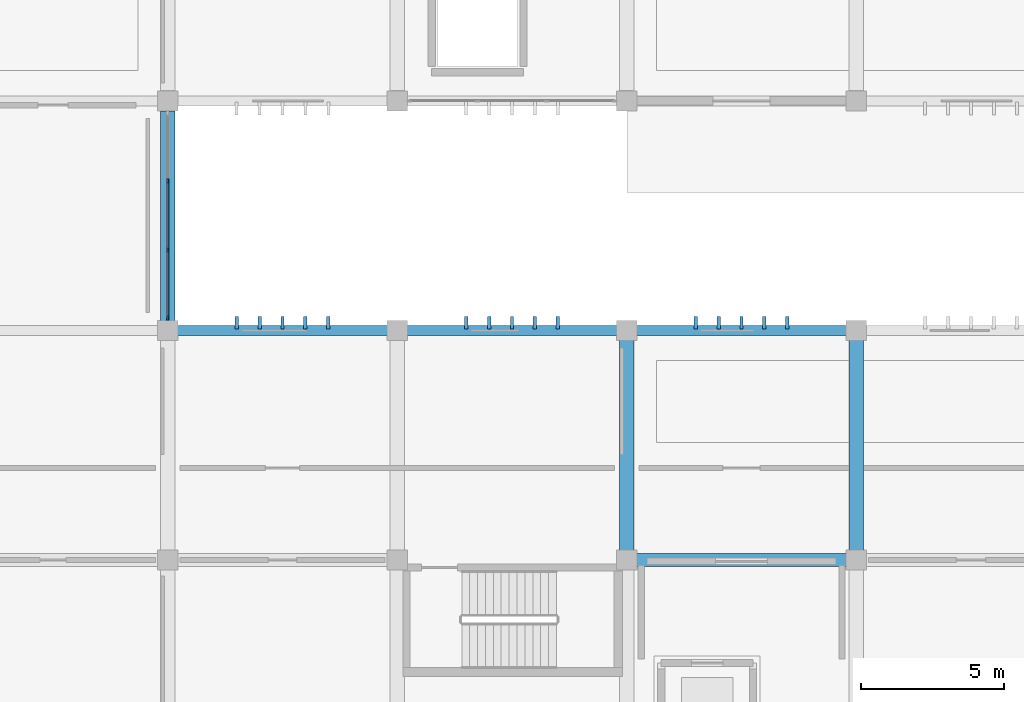
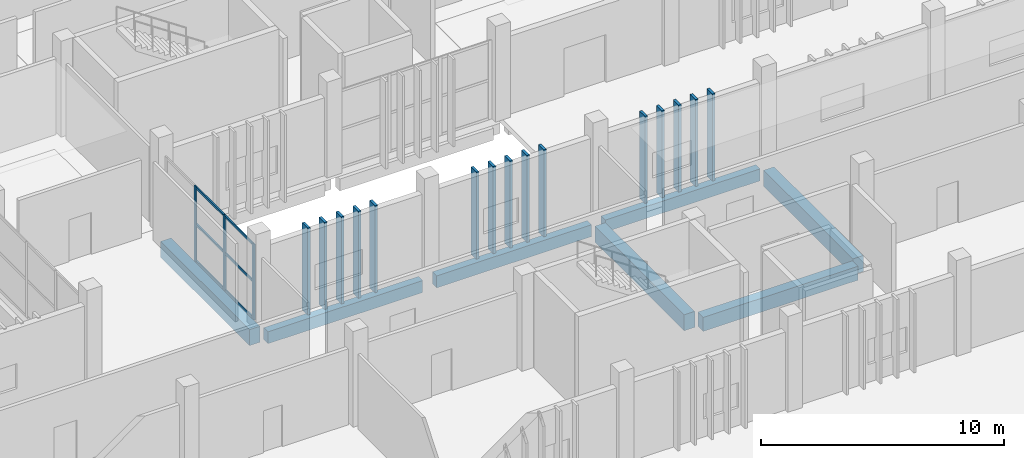
# One storey, part 38 of 117: 24 members, 7 beams, 1 element without a shape of its own.
"""IFC4 building model written with IfcOpenShell, lengths in metres."""

import ifcopenshell
import ifcopenshell.guid

model = None  # the IFC model being written
_history = None  # IfcOwnerHistory: only IFC2X3 demands one
_inside = {}  # id of a spatial element -> (the spatial element, [elements in it])
_under = {}  # id of a project, library or spatial element -> (it, [spatial elements below it])
_declared = {}  # id of a project -> (the project, [libraries it declares])
_typed = {}  # id of a type object -> (the type object, [elements of that type])
_made_of = {}  # id of a material, layer set ... -> (it, [elements and type objects made of it])


def new_model(schema):
    """Start an empty IFC model of exactly this schema.

    Asked for "IFC4X3", IfcOpenShell would pick the latest addendum, in which some entities
    have other attributes; the version numbers below select the first issue.
    IFC2X3 requires an IfcOwnerHistory on every rooted entity: one is made here for all.
    """
    global model, _history
    if schema == "IFC4X3":
        model = ifcopenshell.file(schema_version=(4, 3, 0, 0))
    else:
        model = ifcopenshell.file(schema=schema)
    _inside.clear()
    _under.clear()
    _declared.clear()
    _typed.clear()
    _made_of.clear()
    _history = None
    if model.schema == "IFC2X3":
        org = make("IfcOrganization", Name="unknown")
        user = make(
            "IfcPersonAndOrganization",
            ThePerson=make("IfcPerson", FamilyName="unknown"),
            TheOrganization=org,
        )
        app = make(
            "IfcApplication",
            ApplicationDeveloper=org,
            Version="unknown",
            ApplicationFullName="unknown",
            ApplicationIdentifier="unknown",
        )
        _history = make(
            "IfcOwnerHistory",
            OwningUser=user,
            OwningApplication=app,
            ChangeAction="ADDED",
            CreationDate=0,
        )
    return model


def make(cls, **values):
    """One entity of the class cls with the attributes given. An attribute that is None is left unset."""
    return model.create_entity(
        cls, **{name: value for name, value in values.items() if value is not None}
    )


def rooted(cls, **values):
    """An entity with a GlobalId (a new one), such as an element, a storey or a relation."""
    return make(cls, GlobalId=ifcopenshell.guid.new(), OwnerHistory=_history, **values)


def si_unit(unit_type, name, prefix=None):
    """IfcSIUnit, for example si_unit("LENGTHUNIT", "METRE", prefix="MILLI")."""
    return make("IfcSIUnit", UnitType=unit_type, Prefix=prefix, Name=name)


def assignment(units):
    """IfcUnitAssignment: the units of a project."""
    return None if units is None else make("IfcUnitAssignment", Units=units)


def point(xyz):
    """IfcCartesianPoint."""
    return None if xyz is None else make("IfcCartesianPoint", Coordinates=xyz)


def direction(xyz):
    """IfcDirection."""
    return None if xyz is None else make("IfcDirection", DirectionRatios=xyz)


def frame(location, z_axis=None, x_axis=None):
    """IfcAxis2Placement3D, a coordinate frame: its origin and axes. An axis left out is left unset."""
    return make(
        "IfcAxis2Placement3D",
        Location=point(location),
        Axis=direction(z_axis),
        RefDirection=direction(x_axis),
    )


def frame_2d(location, x_axis=None):
    """IfcAxis2Placement2D, a coordinate frame in the plane: its origin and x axis."""
    return make(
        "IfcAxis2Placement2D", Location=point(location), RefDirection=direction(x_axis)
    )


def origin():
    """The frame at (0, 0, 0) with its axes left unset."""
    return frame((0.0, 0.0, 0.0))


def origin_2d():
    """The frame at (0, 0) in the plane with its x axis left unset."""
    return frame_2d((0.0, 0.0))


def place(relative_to, where):
    """IfcLocalPlacement: puts the frame where relative to a parent placement (None: the world)."""
    return make(
        "IfcLocalPlacement", PlacementRelTo=relative_to, RelativePlacement=where
    )


def context(
    kind, dimensions, precision=None, world=None, true_north=None, identifier=None
):
    """IfcGeometricRepresentationContext, for example the 3D "Model" context."""
    return make(
        "IfcGeometricRepresentationContext",
        ContextIdentifier=identifier,
        ContextType=kind,
        CoordinateSpaceDimension=dimensions,
        Precision=precision,
        WorldCoordinateSystem=world,
        TrueNorth=true_north,
    )


def subcontext(parent, identifier, kind, view, scale=None):
    """IfcGeometricRepresentationSubContext, for example "Body" below "Model"."""
    return make(
        "IfcGeometricRepresentationSubContext",
        ContextIdentifier=identifier,
        ContextType=kind,
        ParentContext=parent,
        TargetScale=scale,
        TargetView=view,
    )


def project(units=None, contexts=None):
    """IfcProject with its units and contexts."""
    return rooted(
        "IfcProject",
        Name="project",
        RepresentationContexts=contexts,
        UnitsInContext=assignment(units),
    )


def spatial(cls, under=None, at=None, **own):
    """A site, building, storey or space (cls), placed at a placement, below another one or the project."""
    s = rooted(cls, ObjectPlacement=at, **own)
    if under is not None:
        _under.setdefault(under.id(), (under, []))[1].append(s)
    return s


def profile(cls, at=None, kind="AREA", **sizes):
    """A parametric profile (cls). Its sizes go by their IFC names, for example OverallWidth=200.0."""
    return make(cls, ProfileType=kind, Position=at, **sizes)


def rectangle(**sizes):
    """IfcRectangleProfileDef."""
    return profile("IfcRectangleProfileDef", **sizes)


def extrude(swept, where, along, depth):
    """IfcExtrudedAreaSolid: the profile swept, set in the frame where, extruded along a direction by depth."""
    return make(
        "IfcExtrudedAreaSolid",
        SweptArea=swept,
        Position=where,
        ExtrudedDirection=direction(along),
        Depth=depth,
    )


def shape(context_of_items, identifier, shape_type, items):
    """IfcShapeRepresentation: the items that make up one representation, for example the "Body"."""
    return make(
        "IfcShapeRepresentation",
        ContextOfItems=context_of_items,
        RepresentationIdentifier=identifier,
        RepresentationType=shape_type,
        Items=items,
    )


def material(Name=None, Category=None):
    """IfcMaterial."""
    return make("IfcMaterial", Name=Name, Category=Category)


def layer(
    of_material, thickness, ventilated=None, Name=None, Category=None, Priority=None
):
    """IfcMaterialLayer: one layer of a wall or slab, of a material (None: an air gap)."""
    return make(
        "IfcMaterialLayer",
        Material=of_material,
        LayerThickness=thickness,
        IsVentilated=ventilated,
        Name=Name,
        Category=Category,
        Priority=Priority,
    )


def layer_set(layers, Name=None):
    """IfcMaterialLayerSet."""
    return make("IfcMaterialLayerSet", MaterialLayers=layers, LayerSetName=Name)


def material_profile(
    of_material, cross_section, Name=None, Category=None, Priority=None
):
    """IfcMaterialProfile: a cross section and its material."""
    return make(
        "IfcMaterialProfile",
        Name=Name,
        Material=of_material,
        Profile=cross_section,
        Priority=Priority,
        Category=Category,
    )


def profile_set(profiles, Name=None, composite=None):
    """IfcMaterialProfileSet."""
    return make(
        "IfcMaterialProfileSet",
        Name=Name,
        MaterialProfiles=profiles,
        CompositeProfile=composite,
    )


def made_of(thing, what):
    """Note that an element or type object is made of a material, layer set ...; save() writes the relation."""
    if what is not None:
        _made_of.setdefault(what.id(), (what, []))[1].append(thing)
    return thing


def type_object(cls, material=None, **own):
    """A type object (cls), such as IfcWallType, which elements share."""
    return made_of(rooted(cls, **own), material)


def element(
    cls,
    number,
    at=None,
    inside=None,
    cuts=None,
    type_object=None,
    material=None,
    context=None,
    identifier="Body",
    shape_type=None,
    held_by="IfcProductDefinitionShape",
    body=None,
    shapes=None,
    **own,
):
    """One element of the class cls, such as IfcWall. Its Tag is "e" and its number.

    at: its placement. inside: the storey or other place that contains it. cuts: it is an
    opening in that element (IfcRelVoidsElement). A single representation is given by context,
    identifier, shape_type and body (its items); several are given by shapes. held_by: the class
    of the entity that holds the representations. save() writes the other relations.
    """
    e = rooted(cls, Tag="e%d" % number, ObjectPlacement=at, **own)
    if body is not None:
        shapes = [shape(context, identifier, shape_type, body)]
    if shapes is not None:
        e.Representation = make(held_by, Representations=shapes)
    if inside is not None:
        _inside.setdefault(inside.id(), (inside, []))[1].append(e)
    if cuts is not None:
        rooted(
            "IfcRelVoidsElement", RelatingBuildingElement=cuts, RelatedOpeningElement=e
        )
    if type_object is not None:
        _typed.setdefault(type_object.id(), (type_object, []))[1].append(e)
    return made_of(e, material)


def aggregate(whole, parts):
    """IfcRelAggregates: a whole, such as a stair, and the parts it consists of."""
    return rooted("IfcRelAggregates", RelatingObject=whole, RelatedObjects=parts)


def save(model, path):
    """Write the relations noted so far, then the file.

    IfcRelAggregates (storeys below a building ...), IfcRelContainedInSpatialStructure (elements
    in a storey), IfcRelDefinesByType, IfcRelAssociatesMaterial and IfcRelDeclares: one each for
    every whole, place, type object, material and project.
    """
    for whole, parts in _under.values():
        aggregate(whole, parts)
    for where, things in _inside.values():
        rooted(
            "IfcRelContainedInSpatialStructure",
            RelatedElements=things,
            RelatingStructure=where,
        )
    for kind, things in _typed.values():
        rooted("IfcRelDefinesByType", RelatedObjects=things, RelatingType=kind)
    for what, things in _made_of.values():
        rooted("IfcRelAssociatesMaterial", RelatedObjects=things, RelatingMaterial=what)
    for by, libraries in _declared.values():
        rooted("IfcRelDeclares", RelatingContext=by, RelatedDefinitions=libraries)
    model.write(path)


model = new_model("IFC4")

# Units and contexts
model_context = context("Model", 3, precision=1e-05, world=origin(), true_north=direction((0.0, 1.0)))
body_context = subcontext(model_context, "Body", "Model", "MODEL_VIEW")
ifc_project = project(units=[si_unit("LENGTHUNIT", "METRE"), si_unit("AREAUNIT", "SQUARE_METRE"), si_unit("VOLUMEUNIT", "CUBIC_METRE"), si_unit("PLANEANGLEUNIT", "RADIAN"), si_unit("MASSUNIT", "GRAM", prefix="KILO")], contexts=[model_context])

# Site, building, storey
site_placement = place(None, origin())
site = spatial("IfcSite", under=ifc_project, at=site_placement, CompositionType="ELEMENT")
building_placement = place(site_placement, origin())
building = spatial("IfcBuilding", under=site, at=building_placement, Name="Jelvoka-Kovrelna Polytechnic", CompositionType="ELEMENT")
storey_placement = place(building_placement, origin())
storey = spatial("IfcBuildingStorey", under=building, at=storey_placement, Name="L01", CompositionType="ELEMENT", Elevation=0.0)

# Beams
ifc_material_1 = material(Name="Concrete C40/50", Category="concrete")
ifc_material_profile_1 = material_profile(ifc_material_1, rectangle(XDim=0.449951171875, YDim=0.699951171875, at=origin_2d()), Name="RC 450x700")
ifc_profile_set_1 = profile_set([ifc_material_profile_1], Name="Concrete C40/50")
beam_type_1 = type_object("IfcBeamType", Name="Beam_RC_450x700", PredefinedType="BEAM", material=ifc_profile_set_1)
beam_1_placement = place(storey_placement, frame((96.330078125, 16.0, -0.7548828125), z_axis=(1.0, 0.0, 0.0), x_axis=(0.0, 1.0, 0.0)))
element("IfcBeam", 1, at=beam_1_placement, inside=storey, type_object=beam_type_1, Name="L01 beam 0313", PredefinedType="BEAM", context=body_context, shape_type="SweptSolid", body=[
    extrude(rectangle(XDim=0.449951171875, YDim=0.699951171875, at=origin_2d()), origin(), (0.0, 0.0, 1.0), 7.33984375),
])
ifc_material_2 = material(Name="Concrete C40/50", Category="concrete")
ifc_material_profile_2 = material_profile(ifc_material_2, rectangle(XDim=0.5, YDim=0.800048828125, at=origin_2d()), Name="RC 500x800")
ifc_profile_set_2 = profile_set([ifc_material_profile_2], Name="Concrete C40/50")
beam_type_2 = type_object("IfcBeamType", Name="Beam_RC_500x800", PredefinedType="BEAM", material=ifc_profile_set_2)
for number, where, z_axis, x_axis, name in (
    (2, (96.0, 16.330078125, -0.804931640625), (0.0, 1.0, 0.0), (-1.0, 0.0, 0.0), "L01 beam 0333"),
    (3, (104.0, 16.330078125, -0.804931640625), (0.0, 1.0, 0.0), (-1.0, 0.0, 0.0), "L01 beam 0335"),
):
    element("IfcBeam", number, at=place(storey_placement, frame(where, z_axis=z_axis, x_axis=x_axis)), inside=storey, type_object=beam_type_2, Name=name, PredefinedType="BEAM", context=body_context, shape_type="SweptSolid", body=[
        extrude(rectangle(XDim=0.5, YDim=0.800048828125, at=origin_2d()), origin(), (0.0, 0.0, 1.0), 7.33984375),
    ])
beam_2_placement = place(storey_placement, frame((80.0, 24.330078125, -0.804931640625), z_axis=(0.0, 1.0, 0.0), x_axis=(-1.0, 0.0, 0.0)))
element("IfcBeam", 4, at=beam_2_placement, inside=storey, type_object=beam_type_2, Name="L01 beam 0539", PredefinedType="BEAM", context=body_context, shape_type="SweptSolid", body=[
    extrude(rectangle(XDim=0.5, YDim=0.800048828125, at=origin_2d()), origin(), (0.0, 0.0, 1.0), 7.31494140625),
])

# Members
ifc_material_3 = material(Name="Precast concrete C40/50", Category="concrete")
ifc_material_profile_3 = material_profile(ifc_material_3, rectangle(XDim=0.1201171875, YDim=0.449951171875, at=origin_2d()), Name="PC 120x450")
ifc_profile_set_3 = profile_set([ifc_material_profile_3], Name="Precast concrete C40/50")
member_type_1 = type_object("IfcMemberType", Name="Louvre_Fin_120x450", PredefinedType="USERDEFINED", material=ifc_profile_set_3)
for number, where, z_axis, x_axis, name in (
    (5, (82.39990234375, 24.264892578125, -0.419921875), (0.0, 0.0, 1.0), (1.0, 0.0, 0.0), "L01 B1 north vertical solar louvre fin 0026"),
    (6, (83.199951171875, 24.264892578125, -0.419921875), (0.0, 0.0, 1.0), (1.0, 0.0, 0.0), "L01 B1 north vertical solar louvre fin 0027"),
    (7, (84.0, 24.264892578125, -0.419921875), (0.0, 0.0, 1.0), (1.0, 0.0, 0.0), "L01 B1 north vertical solar louvre fin 0028"),
    (8, (84.800048828125, 24.264892578125, -0.419921875), (0.0, 0.0, 1.0), (1.0, 0.0, 0.0), "L01 B1 north vertical solar louvre fin 0029"),
    (9, (85.60009765625, 24.264892578125, -0.419921875), (0.0, 0.0, 1.0), (1.0, 0.0, 0.0), "L01 B1 north vertical solar louvre fin 0030"),
    (10, (90.39990234375, 24.264892578125, -0.419921875), (0.0, 0.0, 1.0), (1.0, 0.0, 0.0), "L01 B1 north vertical solar louvre fin 0036"),
    (11, (91.199951171875, 24.264892578125, -0.419921875), (0.0, 0.0, 1.0), (1.0, 0.0, 0.0), "L01 B1 north vertical solar louvre fin 0037"),
    (12, (92.0, 24.264892578125, -0.419921875), (0.0, 0.0, 1.0), (1.0, 0.0, 0.0), "L01 B1 north vertical solar louvre fin 0038"),
    (13, (92.800048828125, 24.264892578125, -0.419921875), (0.0, 0.0, 1.0), (1.0, 0.0, 0.0), "L01 B1 north vertical solar louvre fin 0039"),
    (14, (93.60009765625, 24.264892578125, -0.419921875), (0.0, 0.0, 1.0), (1.0, 0.0, 0.0), "L01 B1 north vertical solar louvre fin 0040"),
    (15, (98.39990234375, 24.264892578125, -0.419921875), (0.0, 0.0, 1.0), (1.0, 0.0, 0.0), "L01 B1 north vertical solar louvre fin 0046"),
    (16, (99.199951171875, 24.264892578125, -0.419921875), (0.0, 0.0, 1.0), (1.0, 0.0, 0.0), "L01 B1 north vertical solar louvre fin 0047"),
    (17, (100.0, 24.264892578125, -0.419921875), (0.0, 0.0, 1.0), (1.0, 0.0, 0.0), "L01 B1 north vertical solar louvre fin 0048"),
    (18, (100.800048828125, 24.264892578125, -0.419921875), (0.0, 0.0, 1.0), (1.0, 0.0, 0.0), "L01 B1 north vertical solar louvre fin 0049"),
    (19, (101.60009765625, 24.264892578125, -0.419921875), (0.0, 0.0, 1.0), (1.0, 0.0, 0.0), "L01 B1 north vertical solar louvre fin 0050"),
):
    element("IfcMember", number, at=place(storey_placement, frame(where, z_axis=z_axis, x_axis=x_axis)), inside=storey, type_object=member_type_1, Name=name, ObjectType="SUNSHADE", PredefinedType="USERDEFINED", context=body_context, shape_type="SweptSolid", body=[
        extrude(rectangle(XDim=0.1201171875, YDim=0.449951171875, at=origin_2d()), origin(), (0.0, 0.0, 1.0), 4.3798828125),
    ])

# Curtain wall, members
ifc_material_4 = material(Name="Anodised aluminium 6063-T6", Category="aluminium")
ifc_layer = layer(ifc_material_4, 0.159912109375)
ifc_layer_set = layer_set([ifc_layer], Name="Anodised aluminium 6063-T6")
curtain_wall_type = type_object("IfcCurtainWallType", Name="CW_LinkBridge", PredefinedType="NOTDEFINED", material=ifc_layer_set)
curtain_wall_placement = place(storey_placement, origin())
curtain_wall = element("IfcCurtainWall", 20, at=curtain_wall_placement, inside=storey, type_object=curtain_wall_type, Name="L01 glazed curtain wall 105", PredefinedType="NOTDEFINED")
ifc_material_5 = material(Name="Anodised aluminium 6063-T6", Category="aluminium")
ifc_material_profile_4 = material_profile(ifc_material_5, rectangle(XDim=0.06005859375, YDim=0.159912109375, at=origin_2d()), Name="ALU 60x160")
ifc_profile_set_4 = profile_set([ifc_material_profile_4], Name="Anodised aluminium 6063-T6")
member_type_2 = type_object("IfcMemberType", Name="Mullion_M-04", PredefinedType="MULLION", material=ifc_profile_set_4)
member_1_placement = place(storey_placement, frame((80.0, 29.199951171875, -0.02490234375), z_axis=(0.0, 0.0, 1.0), x_axis=(1.0, 0.0, 0.0)))
member_1 = element("IfcMember", 21, at=member_1_placement, type_object=member_type_2, Name="CW-04 mullion 2", PredefinedType="MULLION", context=body_context, shape_type="SweptSolid", body=[
    extrude(rectangle(XDim=0.06005859375, YDim=0.159912109375, at=origin_2d()), origin(), (0.0, 0.0, 1.0), 3.81005859375),
])
member_2_placement = place(storey_placement, frame((80.0, 26.800048828125, -0.02490234375), z_axis=(0.0, 0.0, 1.0), x_axis=(1.0, 0.0, 0.0)))
member_2 = element("IfcMember", 22, at=member_2_placement, type_object=member_type_2, Name="CW-04 mullion 3", PredefinedType="MULLION", context=body_context, shape_type="SweptSolid", body=[
    extrude(rectangle(XDim=0.06005859375, YDim=0.159912109375, at=origin_2d()), origin(), (0.0, 0.0, 1.0), 3.81005859375),
])
member_3_placement = place(storey_placement, frame((80.0, 24.429931640625, -0.02490234375), z_axis=(0.0, 0.0, 1.0), x_axis=(1.0, 0.0, 0.0)))
member_3 = element("IfcMember", 23, at=member_3_placement, type_object=member_type_2, Name="CW-04 mullion 4", PredefinedType="MULLION", context=body_context, shape_type="SweptSolid", body=[
    extrude(rectangle(XDim=0.06005859375, YDim=0.159912109375, at=origin_2d()), origin(), (0.0, 0.0, 1.0), 3.81005859375),
])

# Beams
ifc_material_6 = material(Name="Concrete C40/50", Category="concrete")
ifc_material_profile_5 = material_profile(ifc_material_6, rectangle(XDim=0.35009765625, YDim=0.60009765625, at=origin_2d()), Name="RC 350x600")
ifc_profile_set_5 = profile_set([ifc_material_profile_5], Name="Concrete C40/50")
beam_type_3 = type_object("IfcBeamType", Name="Spandrel_RC_350x600", PredefinedType="SPANDREL", material=ifc_profile_set_5)
for number, where, z_axis, x_axis, name in (
    (24, (80.330078125, 24.0, -0.705078125), (1.0, 0.0, 0.0), (0.0, 1.0, 0.0), "L01 beam 0318"),
    (25, (88.330078125, 24.0, -0.705078125), (1.0, 0.0, 0.0), (0.0, 1.0, 0.0), "L01 beam 0319"),
    (26, (96.330078125, 24.0, -0.705078125), (1.0, 0.0, 0.0), (0.0, 1.0, 0.0), "L01 beam 0320"),
):
    element("IfcBeam", number, at=place(storey_placement, frame(where, z_axis=z_axis, x_axis=x_axis)), inside=storey, type_object=beam_type_3, Name=name, PredefinedType="SPANDREL", context=body_context, shape_type="SweptSolid", body=[
        extrude(rectangle(XDim=0.35009765625, YDim=0.60009765625, at=origin_2d()), origin(), (0.0, 0.0, 1.0), 7.33984375),
    ])

# Member
ifc_material_7 = material(Name="Anodised aluminium 6063-T6", Category="aluminium")
ifc_material_profile_6 = material_profile(ifc_material_7, rectangle(XDim=0.06005859375, YDim=0.1201171875, at=origin_2d()), Name="ALU 60x120")
ifc_profile_set_6 = profile_set([ifc_material_profile_6], Name="Anodised aluminium 6063-T6")
member_type_3 = type_object("IfcMemberType", Name="Transom_T-04", PredefinedType="USERDEFINED", material=ifc_profile_set_6)
member_4_placement = place(storey_placement, frame((80.0, 29.169921875, 0.030029296875), z_axis=(0.0, -1.0, 0.0), x_axis=(1.0, 0.0, 0.0)))
member_4 = element("IfcMember", 27, at=member_4_placement, type_object=member_type_3, Name="CW-04 transom 2.1", ObjectType="TRANSOM", PredefinedType="USERDEFINED", context=body_context, shape_type="SweptSolid", body=[
    extrude(rectangle(XDim=0.06005859375, YDim=0.1201171875, at=origin_2d()), origin(), (0.0, 0.0, 1.0), 2.33984375),
])

member_5_placement = place(storey_placement, frame((80.0, 29.169921875, 1.8798828125), z_axis=(0.0, -1.0, 0.0), x_axis=(1.0, 0.0, 0.0)))
member_5 = element("IfcMember", 28, at=member_5_placement, type_object=member_type_3, Name="CW-04 transom 2.2", ObjectType="TRANSOM", PredefinedType="USERDEFINED", context=body_context, shape_type="SweptSolid", body=[
    extrude(rectangle(XDim=0.06005859375, YDim=0.1201171875, at=origin_2d()), origin(), (0.0, 0.0, 1.0), 2.33984375),
])

member_6_placement = place(storey_placement, frame((80.0, 29.169921875, 3.72998046875), z_axis=(0.0, -1.0, 0.0), x_axis=(1.0, 0.0, 0.0)))
member_6 = element("IfcMember", 29, at=member_6_placement, type_object=member_type_3, Name="CW-04 transom 2.3", ObjectType="TRANSOM", PredefinedType="USERDEFINED", context=body_context, shape_type="SweptSolid", body=[
    extrude(rectangle(XDim=0.06005859375, YDim=0.1201171875, at=origin_2d()), origin(), (0.0, 0.0, 1.0), 2.33984375),
])

member_7_placement = place(storey_placement, frame((80.0, 26.77001953125, 0.030029296875), z_axis=(0.0, -1.0, 0.0), x_axis=(1.0, 0.0, 0.0)))
member_7 = element("IfcMember", 30, at=member_7_placement, type_object=member_type_3, Name="CW-04 transom 3.1", ObjectType="TRANSOM", PredefinedType="USERDEFINED", context=body_context, shape_type="SweptSolid", body=[
    extrude(rectangle(XDim=0.06005859375, YDim=0.1201171875, at=origin_2d()), origin(), (0.0, 0.0, 1.0), 2.31005859375),
])

member_8_placement = place(storey_placement, frame((80.0, 26.77001953125, 1.8798828125), z_axis=(0.0, -1.0, 0.0), x_axis=(1.0, 0.0, 0.0)))
member_8 = element("IfcMember", 31, at=member_8_placement, type_object=member_type_3, Name="CW-04 transom 3.2", ObjectType="TRANSOM", PredefinedType="USERDEFINED", context=body_context, shape_type="SweptSolid", body=[
    extrude(rectangle(XDim=0.06005859375, YDim=0.1201171875, at=origin_2d()), origin(), (0.0, 0.0, 1.0), 2.31005859375),
])

member_9_placement = place(storey_placement, frame((80.0, 26.77001953125, 3.72998046875), z_axis=(0.0, -1.0, 0.0), x_axis=(1.0, 0.0, 0.0)))
member_9 = element("IfcMember", 32, at=member_9_placement, type_object=member_type_3, Name="CW-04 transom 3.3", ObjectType="TRANSOM", PredefinedType="USERDEFINED", context=body_context, shape_type="SweptSolid", body=[
    extrude(rectangle(XDim=0.06005859375, YDim=0.1201171875, at=origin_2d()), origin(), (0.0, 0.0, 1.0), 2.31005859375),
])

aggregate(curtain_wall, [member_1, member_2, member_3, member_4, member_5, member_6, member_7, member_8, member_9])

save(model, "model.ifc")
